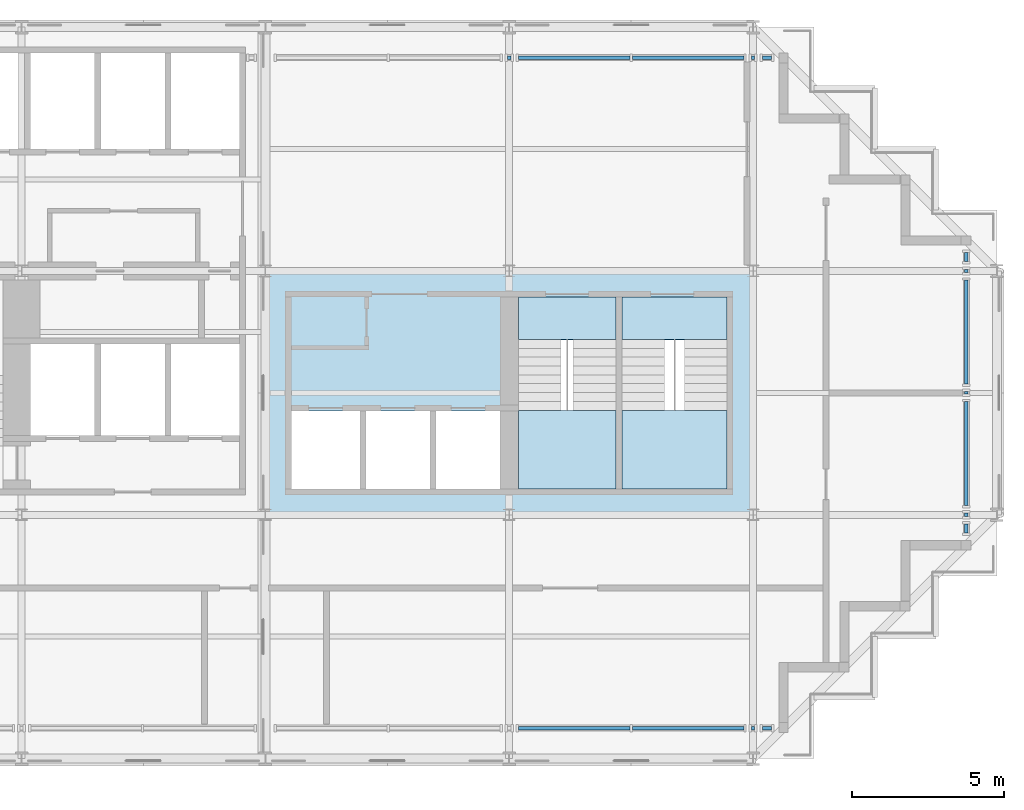
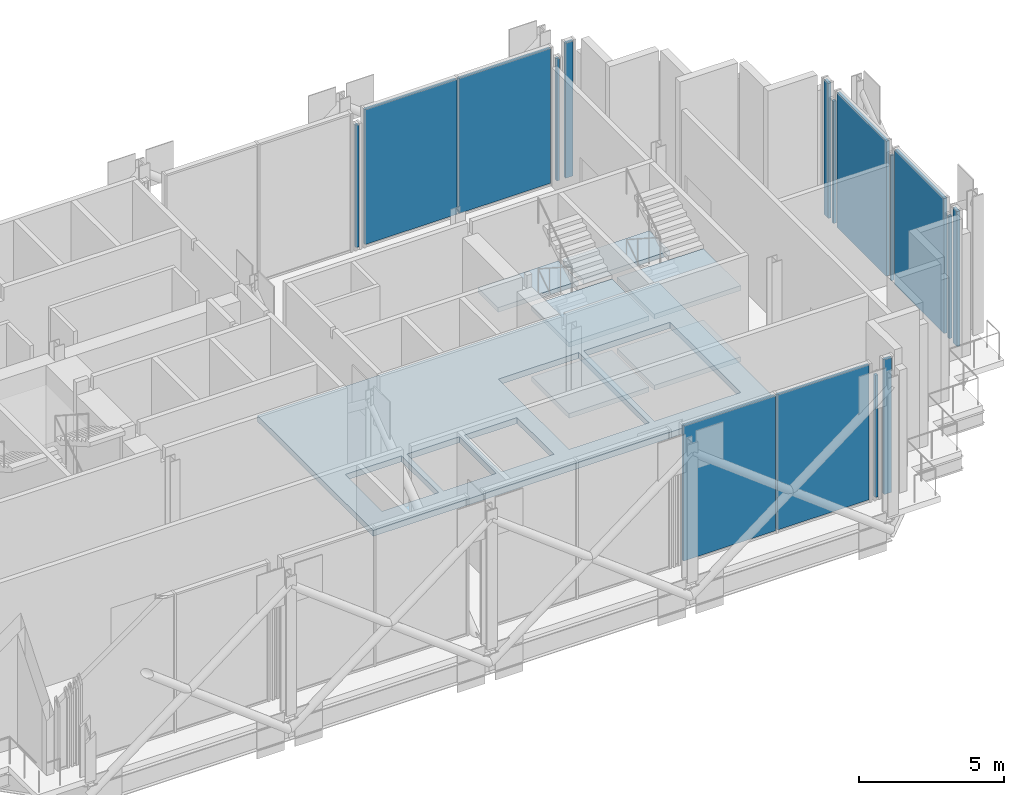
# One storey, part 10 of 16: 16 plates, 7 slabs, 16 elements without a shape of their own.
"""IFC4 building model written with IfcOpenShell, lengths in metres."""

from ifc_helpers import new_model, si_unit, direction, frame, origin, origin_2d, place, context, subcontext, project, spatial, polyline, rectangle, outline, extrude, material, layer, layer_set, type_object, element, aggregate, save


model = new_model("IFC4")

# Units and contexts
model_context = context("Model", 3, precision=1e-05, world=origin(), true_north=direction((0.0, 1.0)))
body_context = subcontext(model_context, "Body", "Model", "MODEL_VIEW")
ifc_project = project(units=[si_unit("LENGTHUNIT", "METRE"), si_unit("AREAUNIT", "SQUARE_METRE"), si_unit("VOLUMEUNIT", "CUBIC_METRE"), si_unit("PLANEANGLEUNIT", "RADIAN"), si_unit("MASSUNIT", "GRAM", prefix="KILO")], contexts=[model_context])

# Site, building, storey
site_placement = place(None, origin())
site = spatial("IfcSite", under=ifc_project, at=site_placement, CompositionType="ELEMENT")
building_placement = place(site_placement, origin())
building = spatial("IfcBuilding", under=site, at=building_placement, Name="Immortelle Media Tower", CompositionType="ELEMENT")
storey_placement = place(building_placement, frame((0.0, 0.0, 241.0)))
storey = spatial("IfcBuildingStorey", under=building, at=storey_placement, Name="L52", CompositionType="ELEMENT", Elevation=241.0)

# Slab
ifc_material_1 = material(Name="Concrete C50/60", Category="concrete")
ifc_layer_1 = layer(ifc_material_1, 0.25)
ifc_layer_set_1 = layer_set([ifc_layer_1], Name="Concrete C50/60")
slab_type_1 = type_object("IfcSlabType", Name="Core floor slab 250", PredefinedType="FLOOR", material=ifc_layer_set_1)
slab_1_placement = place(storey_placement, frame((0.0, 0.0, -0.25)))
element("IfcSlab", 1, at=slab_1_placement, inside=storey, type_object=slab_type_1, Name="Core floor SE", PredefinedType="FLOOR", context=body_context, shape_type="SweptSolid", body=[
    extrude(outline(polyline([(24.0, 8.0), (40.0, 8.0), (40.0, 16.0), (24.0, 16.0), (24.0, 8.0)]), holes=[polyline([(24.85009765625, 8.85009765625), (27.10009765625, 8.85009765625), (27.10009765625, 11.39990234375), (24.85009765625, 11.39990234375), (24.85009765625, 8.85009765625)]), polyline([(27.300048828125, 8.85009765625), (29.39990234375, 8.85009765625), (29.39990234375, 11.39990234375), (27.300048828125, 11.39990234375), (27.300048828125, 8.85009765625)]), polyline([(29.60009765625, 8.85009765625), (31.699951171875, 8.85009765625), (31.699951171875, 11.39990234375), (29.60009765625, 11.39990234375), (29.60009765625, 8.85009765625)]), polyline([(32.300048828125, 8.85009765625), (35.5, 8.85009765625), (35.5, 13.72998046875), (32.300048828125, 13.72998046875), (32.300048828125, 8.85009765625)]), polyline([(35.699951171875, 8.85009765625), (39.14990234375, 8.85009765625), (39.14990234375, 13.72998046875), (35.699951171875, 13.72998046875), (35.699951171875, 8.85009765625)])]), origin(), (0.0, 0.0, 1.0), 0.25),
])

# Curtain wall, plates
ifc_material_2 = material(Name="Aluminium curtain wall system", Category="aluminium")
curtain_wall_type = type_object("IfcCurtainWallType", Name="Plant louvre wall curtain wall", PredefinedType="NOTDEFINED", material=ifc_material_2)
curtain_wall_1_placement = place(storey_placement, origin())
curtain_wall_1 = element("IfcCurtainWall", 2, at=curtain_wall_1_placement, inside=storey, type_object=curtain_wall_type, Name="Plant louvre wall L52 S 7-9", PredefinedType="NOTDEFINED")
ifc_material_3 = material(Name="Pale aluminium louvre panel", Category="aluminium")
ifc_layer_2 = layer(ifc_material_3, 0.1201171875)
ifc_layer_set_2 = layer_set([ifc_layer_2], Name="Pale aluminium louvre panel")
plate_type = type_object("IfcPlateType", Name="Dust and storm rated louvre panel 120 mm", PredefinedType="CURTAIN_PANEL", material=ifc_layer_set_2)
plate_1_placement = place(storey_placement, frame((34.1318359375, 1.0, 0.080078125), z_axis=(0.0, 0.0, 1.0), x_axis=(1.0, 0.0, 0.0)))
plate_1 = element("IfcPlate", 3, at=plate_1_placement, type_object=plate_type, Name="CW6 panel 1.1", PredefinedType="CURTAIN_PANEL", context=body_context, shape_type="SweptSolid", body=[
    extrude(rectangle(XDim=3.656494140625, YDim=0.1201171875, at=origin_2d()), origin(), (0.0, 0.0, 1.0), 5.689453125),
])
plate_2_placement = place(storey_placement, frame((37.8681640625, 1.0, 0.080078125), z_axis=(0.0, 0.0, 1.0), x_axis=(1.0, 0.0, 0.0)))
plate_2 = element("IfcPlate", 4, at=plate_2_placement, type_object=plate_type, Name="CW6 panel 2.1", PredefinedType="CURTAIN_PANEL", context=body_context, shape_type="SweptSolid", body=[
    extrude(rectangle(XDim=3.656494140625, YDim=0.1201171875, at=origin_2d()), origin(), (0.0, 0.0, 1.0), 5.689453125),
])
aggregate(curtain_wall_1, [plate_1, plate_2])

# Curtain wall, plate
curtain_wall_2_placement = place(storey_placement, origin())
curtain_wall_2 = element("IfcCurtainWall", 5, at=curtain_wall_2_placement, inside=storey, type_object=curtain_wall_type, Name="Plant louvre wall L52 S 7-10", PredefinedType="NOTDEFINED")
plate_3_placement = place(storey_placement, frame((40.0, 1.0, 0.080078125), z_axis=(0.0, 0.0, 1.0), x_axis=(1.0, 0.0, 0.0)))
plate_3 = element("IfcPlate", 6, at=plate_3_placement, type_object=plate_type, Name="CW6 panel 1.1", PredefinedType="CURTAIN_PANEL", context=body_context, shape_type="SweptSolid", body=[
    extrude(rectangle(XDim=0.10693359375, YDim=0.1201171875, at=origin_2d()), origin(), (0.0, 0.0, 1.0), 5.153564453125),
])
aggregate(curtain_wall_2, [plate_3])

curtain_wall_3_placement = place(storey_placement, origin())
curtain_wall_3 = element("IfcCurtainWall", 7, at=curtain_wall_3_placement, inside=storey, type_object=curtain_wall_type, Name="Plant louvre wall L52 S 7-11", PredefinedType="NOTDEFINED")
plate_4_placement = place(storey_placement, frame((40.452392578125, 1.0, 0.080078125), z_axis=(0.0, 0.0, 1.0), x_axis=(1.0, 0.0, 0.0)))
plate_4 = element("IfcPlate", 8, at=plate_4_placement, type_object=plate_type, Name="CW6 panel 1.1", PredefinedType="CURTAIN_PANEL", context=body_context, shape_type="SweptSolid", body=[
    extrude(rectangle(XDim=0.297607421875, YDim=0.1201171875, at=origin_2d()), origin(), (0.0, 0.0, 1.0), 5.689453125),
])
aggregate(curtain_wall_3, [plate_4])

curtain_wall_4_placement = place(storey_placement, origin())
curtain_wall_4 = element("IfcCurtainWall", 9, at=curtain_wall_4_placement, inside=storey, type_object=curtain_wall_type, Name="Plant louvre wall L52 E 14-2", PredefinedType="NOTDEFINED")
plate_5_placement = place(storey_placement, frame((47.0, 7.547607421875, 0.080078125), z_axis=(0.0, 0.0, 1.0), x_axis=(0.0, 1.0, 0.0)))
plate_5 = element("IfcPlate", 10, at=plate_5_placement, type_object=plate_type, Name="CW6 panel 1.1", PredefinedType="CURTAIN_PANEL", context=body_context, shape_type="SweptSolid", body=[
    extrude(rectangle(XDim=0.297607421875, YDim=0.1201171875, at=origin_2d()), origin(), (0.0, 0.0, 1.0), 5.689453125),
])
aggregate(curtain_wall_4, [plate_5])

curtain_wall_5_placement = place(storey_placement, origin())
curtain_wall_5 = element("IfcCurtainWall", 11, at=curtain_wall_5_placement, inside=storey, type_object=curtain_wall_type, Name="Plant louvre wall L52 E 14-3", PredefinedType="NOTDEFINED")
plate_6_placement = place(storey_placement, frame((47.0, 8.0, 0.080078125), z_axis=(0.0, 0.0, 1.0), x_axis=(0.0, 1.0, 0.0)))
plate_6 = element("IfcPlate", 12, at=plate_6_placement, type_object=plate_type, Name="CW6 panel 1.1", PredefinedType="CURTAIN_PANEL", context=body_context, shape_type="SweptSolid", body=[
    extrude(rectangle(XDim=0.10693359375, YDim=0.1201171875, at=origin_2d()), origin(), (0.0, 0.0, 1.0), 5.153564453125),
])
aggregate(curtain_wall_5, [plate_6])

curtain_wall_6_placement = place(storey_placement, origin())
curtain_wall_6 = element("IfcCurtainWall", 13, at=curtain_wall_6_placement, inside=storey, type_object=curtain_wall_type, Name="Plant louvre wall L52 E 14-4", PredefinedType="NOTDEFINED")
plate_7_placement = place(storey_placement, frame((47.0, 10.0068359375, 0.080078125), z_axis=(0.0, 0.0, 1.0), x_axis=(0.0, 1.0, 0.0)))
plate_7 = element("IfcPlate", 14, at=plate_7_placement, type_object=plate_type, Name="CW6 panel 1.1", PredefinedType="CURTAIN_PANEL", context=body_context, shape_type="SweptSolid", body=[
    extrude(rectangle(XDim=3.406494140625, YDim=0.1201171875, at=origin_2d()), origin(), (0.0, 0.0, 1.0), 5.689453125),
])
aggregate(curtain_wall_6, [plate_7])

curtain_wall_7_placement = place(storey_placement, origin())
curtain_wall_7 = element("IfcCurtainWall", 15, at=curtain_wall_7_placement, inside=storey, type_object=curtain_wall_type, Name="Plant louvre wall L52 E 14-5", PredefinedType="NOTDEFINED")
plate_8_placement = place(storey_placement, frame((47.0, 12.0, 0.080078125), z_axis=(0.0, 0.0, 1.0), x_axis=(0.0, 1.0, 0.0)))
plate_8 = element("IfcPlate", 16, at=plate_8_placement, type_object=plate_type, Name="CW6 panel 1.1", PredefinedType="CURTAIN_PANEL", context=body_context, shape_type="SweptSolid", body=[
    extrude(rectangle(XDim=0.080078125, YDim=0.1201171875, at=origin_2d()), origin(), (0.0, 0.0, 1.0), 5.285400390625),
])
aggregate(curtain_wall_7, [plate_8])

curtain_wall_8_placement = place(storey_placement, origin())
curtain_wall_8 = element("IfcCurtainWall", 17, at=curtain_wall_8_placement, inside=storey, type_object=curtain_wall_type, Name="Plant louvre wall L52 E 14-6", PredefinedType="NOTDEFINED")
plate_9_placement = place(storey_placement, frame((47.0, 13.9931640625, 0.080078125), z_axis=(0.0, 0.0, 1.0), x_axis=(0.0, 1.0, 0.0)))
plate_9 = element("IfcPlate", 18, at=plate_9_placement, type_object=plate_type, Name="CW6 panel 1.1", PredefinedType="CURTAIN_PANEL", context=body_context, shape_type="SweptSolid", body=[
    extrude(rectangle(XDim=3.406494140625, YDim=0.1201171875, at=origin_2d()), origin(), (0.0, 0.0, 1.0), 5.689453125),
])
aggregate(curtain_wall_8, [plate_9])

curtain_wall_9_placement = place(storey_placement, origin())
curtain_wall_9 = element("IfcCurtainWall", 19, at=curtain_wall_9_placement, inside=storey, type_object=curtain_wall_type, Name="Plant louvre wall L52 E 14-7", PredefinedType="NOTDEFINED")
plate_10_placement = place(storey_placement, frame((47.0, 16.0, 0.080078125), z_axis=(0.0, 0.0, 1.0), x_axis=(0.0, 1.0, 0.0)))
plate_10 = element("IfcPlate", 20, at=plate_10_placement, type_object=plate_type, Name="CW6 panel 1.1", PredefinedType="CURTAIN_PANEL", context=body_context, shape_type="SweptSolid", body=[
    extrude(rectangle(XDim=0.10693359375, YDim=0.1201171875, at=origin_2d()), origin(), (0.0, 0.0, 1.0), 5.153564453125),
])
aggregate(curtain_wall_9, [plate_10])

curtain_wall_10_placement = place(storey_placement, origin())
curtain_wall_10 = element("IfcCurtainWall", 21, at=curtain_wall_10_placement, inside=storey, type_object=curtain_wall_type, Name="Plant louvre wall L52 E 14-8", PredefinedType="NOTDEFINED")
plate_11_placement = place(storey_placement, frame((47.0, 16.452392578125, 0.080078125), z_axis=(0.0, 0.0, 1.0), x_axis=(0.0, 1.0, 0.0)))
plate_11 = element("IfcPlate", 22, at=plate_11_placement, type_object=plate_type, Name="CW6 panel 1.1", PredefinedType="CURTAIN_PANEL", context=body_context, shape_type="SweptSolid", body=[
    extrude(rectangle(XDim=0.297607421875, YDim=0.1201171875, at=origin_2d()), origin(), (0.0, 0.0, 1.0), 5.689453125),
])
aggregate(curtain_wall_10, [plate_11])

curtain_wall_11_placement = place(storey_placement, origin())
curtain_wall_11 = element("IfcCurtainWall", 23, at=curtain_wall_11_placement, inside=storey, type_object=curtain_wall_type, Name="Plant louvre wall L52 N 21-2", PredefinedType="NOTDEFINED")
plate_12_placement = place(storey_placement, frame((40.452392578125, 23.0, 0.080078125), z_axis=(0.0, 0.0, 1.0), x_axis=(-1.0, 0.0, 0.0)))
plate_12 = element("IfcPlate", 24, at=plate_12_placement, type_object=plate_type, Name="CW6 panel 1.1", PredefinedType="CURTAIN_PANEL", context=body_context, shape_type="SweptSolid", body=[
    extrude(rectangle(XDim=0.297607421875, YDim=0.1201171875, at=origin_2d()), origin(), (0.0, 0.0, 1.0), 5.689453125),
])
aggregate(curtain_wall_11, [plate_12])

curtain_wall_12_placement = place(storey_placement, origin())
curtain_wall_12 = element("IfcCurtainWall", 25, at=curtain_wall_12_placement, inside=storey, type_object=curtain_wall_type, Name="Plant louvre wall L52 N 21-3", PredefinedType="NOTDEFINED")
plate_13_placement = place(storey_placement, frame((40.0, 23.0, 0.080078125), z_axis=(0.0, 0.0, 1.0), x_axis=(-1.0, 0.0, 0.0)))
plate_13 = element("IfcPlate", 26, at=plate_13_placement, type_object=plate_type, Name="CW6 panel 1.1", PredefinedType="CURTAIN_PANEL", context=body_context, shape_type="SweptSolid", body=[
    extrude(rectangle(XDim=0.10693359375, YDim=0.1201171875, at=origin_2d()), origin(), (0.0, 0.0, 1.0), 5.153564453125),
])
aggregate(curtain_wall_12, [plate_13])

# Curtain wall, plates
curtain_wall_13_placement = place(storey_placement, origin())
curtain_wall_13 = element("IfcCurtainWall", 27, at=curtain_wall_13_placement, inside=storey, type_object=curtain_wall_type, Name="Plant louvre wall L52 N 21-4", PredefinedType="NOTDEFINED")
plate_14_placement = place(storey_placement, frame((37.8681640625, 23.0, 0.080078125), z_axis=(0.0, 0.0, 1.0), x_axis=(-1.0, 0.0, 0.0)))
plate_14 = element("IfcPlate", 28, at=plate_14_placement, type_object=plate_type, Name="CW6 panel 1.1", PredefinedType="CURTAIN_PANEL", context=body_context, shape_type="SweptSolid", body=[
    extrude(rectangle(XDim=3.656494140625, YDim=0.1201171875, at=origin_2d()), origin(), (0.0, 0.0, 1.0), 5.689453125),
])
plate_15_placement = place(storey_placement, frame((34.1318359375, 23.0, 0.080078125), z_axis=(0.0, 0.0, 1.0), x_axis=(-1.0, 0.0, 0.0)))
plate_15 = element("IfcPlate", 29, at=plate_15_placement, type_object=plate_type, Name="CW6 panel 2.1", PredefinedType="CURTAIN_PANEL", context=body_context, shape_type="SweptSolid", body=[
    extrude(rectangle(XDim=3.656494140625, YDim=0.1201171875, at=origin_2d()), origin(), (0.0, 0.0, 1.0), 5.689453125),
])
aggregate(curtain_wall_13, [plate_14, plate_15])

# Curtain wall, plate
curtain_wall_14_placement = place(storey_placement, origin())
curtain_wall_14 = element("IfcCurtainWall", 30, at=curtain_wall_14_placement, inside=storey, type_object=curtain_wall_type, Name="Plant louvre wall L52 N 21-5", PredefinedType="NOTDEFINED")
plate_16_placement = place(storey_placement, frame((32.0, 23.0, 0.080078125), z_axis=(0.0, 0.0, 1.0), x_axis=(-1.0, 0.0, 0.0)))
plate_16 = element("IfcPlate", 31, at=plate_16_placement, type_object=plate_type, Name="CW6 panel 1.1", PredefinedType="CURTAIN_PANEL", context=body_context, shape_type="SweptSolid", body=[
    extrude(rectangle(XDim=0.10693359375, YDim=0.1201171875, at=origin_2d()), origin(), (0.0, 0.0, 1.0), 5.153564453125),
])
aggregate(curtain_wall_14, [plate_16])

# Stair, slabs
ifc_material_4 = material(Name="Steel ASTM A992 Gr 50", Category="steel")
stair_type = type_object("IfcStairType", Name="Stair with flights", PredefinedType="DOUBLE_RETURN_STAIR", material=ifc_material_4)
stair_1_placement = place(storey_placement, origin())
stair_1 = element("IfcStair", 32, at=stair_1_placement, inside=storey, type_object=stair_type, Name="Exit stair SE1", PredefinedType="DOUBLE_RETURN_STAIR")
ifc_material_5 = material(Name="Steel ASTM A572 Gr 50", Category="steel")
ifc_layer_3 = layer(ifc_material_5, 0.199951171875)
ifc_layer_set_3 = layer_set([ifc_layer_3], Name="Steel ASTM A572 Gr 50")
slab_type_2 = type_object("IfcSlabType", Name="Stair landing 200", PredefinedType="LANDING", material=ifc_layer_set_3)
slab_2_placement = place(storey_placement, frame((0.0, 0.0, 1.300048828125)))
slab_2 = element("IfcSlab", 33, at=slab_2_placement, type_object=slab_type_2, Name="ST SE1 landing 1", PredefinedType="LANDING", context=body_context, shape_type="SweptSolid", body=[
    extrude(outline(polyline([(32.300048828125, 8.85009765625), (35.5, 8.85009765625), (35.5, 11.429931640625), (32.300048828125, 11.429931640625), (32.300048828125, 8.85009765625)])), origin(), (0.0, 0.0, 1.0), 0.199951171875),
])
slab_3_placement = place(storey_placement, frame((0.0, 0.0, 2.800048828125)))
slab_3 = element("IfcSlab", 34, at=slab_3_placement, type_object=slab_type_2, Name="ST SE1 landing 2", PredefinedType="LANDING", context=body_context, shape_type="SweptSolid", body=[
    extrude(outline(polyline([(32.300048828125, 13.75), (35.5, 13.75), (35.5, 15.14990234375), (32.300048828125, 15.14990234375), (32.300048828125, 13.75)])), origin(), (0.0, 0.0, 1.0), 0.199951171875),
])
slab_4_placement = place(storey_placement, frame((0.0, 0.0, 4.300048828125)))
slab_4 = element("IfcSlab", 35, at=slab_4_placement, type_object=slab_type_2, Name="ST SE1 landing 3", PredefinedType="LANDING", context=body_context, shape_type="SweptSolid", body=[
    extrude(outline(polyline([(32.300048828125, 8.85009765625), (35.5, 8.85009765625), (35.5, 11.429931640625), (32.300048828125, 11.429931640625), (32.300048828125, 8.85009765625)])), origin(), (0.0, 0.0, 1.0), 0.199951171875),
])
aggregate(stair_1, [slab_2, slab_3, slab_4])

stair_2_placement = place(storey_placement, origin())
stair_2 = element("IfcStair", 36, at=stair_2_placement, inside=storey, type_object=stair_type, Name="Exit stair SE2", PredefinedType="DOUBLE_RETURN_STAIR")
slab_5_placement = place(storey_placement, frame((0.0, 0.0, 1.300048828125)))
slab_5 = element("IfcSlab", 37, at=slab_5_placement, type_object=slab_type_2, Name="ST SE2 landing 1", PredefinedType="LANDING", context=body_context, shape_type="SweptSolid", body=[
    extrude(outline(polyline([(35.699951171875, 8.85009765625), (39.14990234375, 8.85009765625), (39.14990234375, 11.429931640625), (35.699951171875, 11.429931640625), (35.699951171875, 8.85009765625)])), origin(), (0.0, 0.0, 1.0), 0.199951171875),
])
slab_6_placement = place(storey_placement, frame((0.0, 0.0, 2.800048828125)))
slab_6 = element("IfcSlab", 38, at=slab_6_placement, type_object=slab_type_2, Name="ST SE2 landing 2", PredefinedType="LANDING", context=body_context, shape_type="SweptSolid", body=[
    extrude(outline(polyline([(35.699951171875, 13.75), (39.14990234375, 13.75), (39.14990234375, 15.14990234375), (35.699951171875, 15.14990234375), (35.699951171875, 13.75)])), origin(), (0.0, 0.0, 1.0), 0.199951171875),
])
slab_7_placement = place(storey_placement, frame((0.0, 0.0, 4.300048828125)))
slab_7 = element("IfcSlab", 39, at=slab_7_placement, type_object=slab_type_2, Name="ST SE2 landing 3", PredefinedType="LANDING", context=body_context, shape_type="SweptSolid", body=[
    extrude(outline(polyline([(35.699951171875, 8.85009765625), (39.14990234375, 8.85009765625), (39.14990234375, 11.429931640625), (35.699951171875, 11.429931640625), (35.699951171875, 8.85009765625)])), origin(), (0.0, 0.0, 1.0), 0.199951171875),
])
aggregate(stair_2, [slab_5, slab_6, slab_7])

save(model, "model.ifc")
